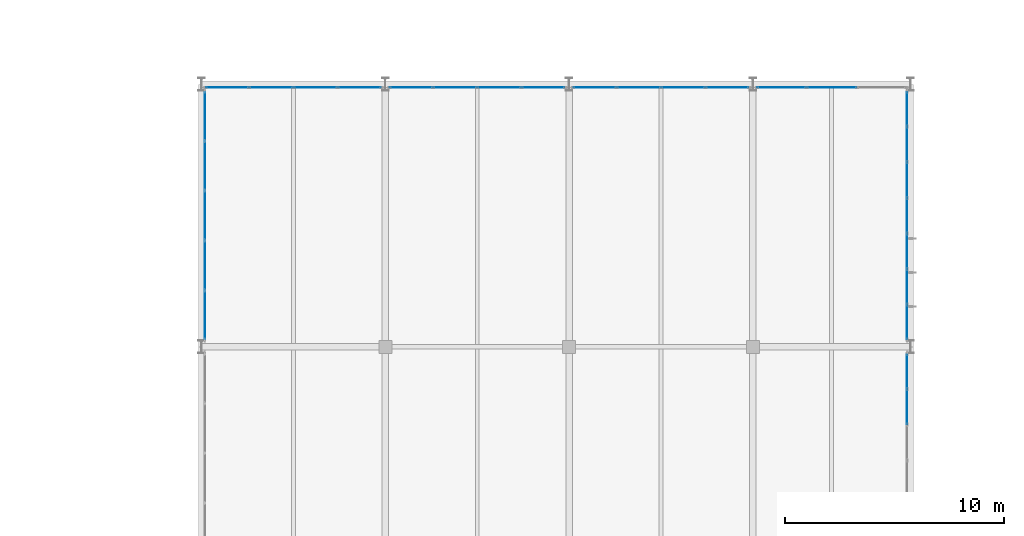
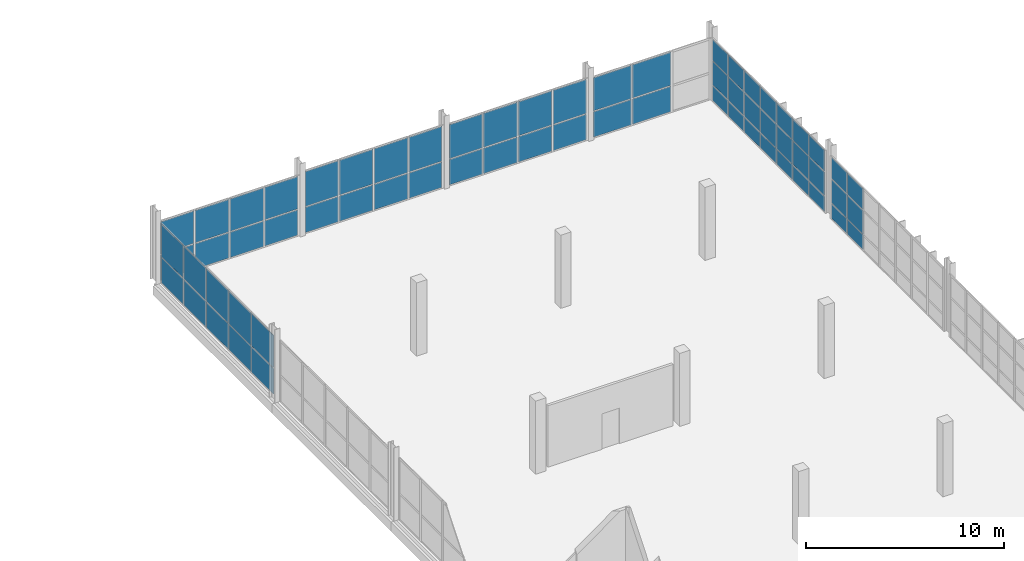
# One storey, part 112 of 130: 65 plates, 7 elements without a shape of their own.
"""IFC4 building model written with IfcOpenShell, lengths in metres."""

from ifc_helpers import new_model, si_unit, direction, frame, origin, origin_2d, place, context, subcontext, project, spatial, rectangle, extrude, material, layer, layer_set, type_object, element, aggregate, save


model = new_model("IFC4")

# Units and contexts
model_context = context("Model", 3, precision=1e-05, world=origin(), true_north=direction((0.0, 1.0)))
body_context = subcontext(model_context, "Body", "Model", "MODEL_VIEW")
ifc_project = project(units=[si_unit("LENGTHUNIT", "METRE"), si_unit("AREAUNIT", "SQUARE_METRE"), si_unit("VOLUMEUNIT", "CUBIC_METRE"), si_unit("PLANEANGLEUNIT", "RADIAN"), si_unit("MASSUNIT", "GRAM", prefix="KILO")], contexts=[model_context])

# Site, building, storey
site_placement = place(None, origin())
site = spatial("IfcSite", under=ifc_project, at=site_placement, CompositionType="ELEMENT")
building_placement = place(site_placement, origin())
building = spatial("IfcBuilding", under=site, at=building_placement, Name="Veltarok Museum of Natural Sciences", CompositionType="ELEMENT")
storey_placement = place(building_placement, frame((0.0, 0.0, 12.89990234375)))
storey = spatial("IfcBuildingStorey", under=building, at=storey_placement, Name="L02", CompositionType="ELEMENT", Elevation=12.89990234375)

# Curtain wall, plates
ifc_material = material(Name="Low-iron triple insulated glass", Category="glass")
curtain_wall_type_1 = type_object("IfcCurtainWallType", Name="Curtain Wall System CW-V5E-L02-F-1140x388 (V5 East Lab L02 F-G 1140x388cm)", PredefinedType="NOTDEFINED", material=ifc_material)
curtain_wall_1_placement = place(storey_placement, origin())
curtain_wall_1 = element("IfcCurtainWall", 1, at=curtain_wall_1_placement, inside=storey, type_object=curtain_wall_type_1, Name="Curtain Wall CW-V5E-L02-F-1140x388 CW-0113", PredefinedType="NOTDEFINED")
ifc_layer = layer(ifc_material, 0.028076171875)
ifc_layer_set = layer_set([ifc_layer], Name="Low-iron triple insulated glass")
plate_type = type_object("IfcPlateType", Name="Triple Low-Iron Glazed Vision Panel 28", PredefinedType="CURTAIN_PANEL", material=ifc_layer_set)
plate_1_placement = place(storey_placement, frame((164.64990234375, 57.257080078125, 0.06005859375), z_axis=(0.0, 0.0, 1.0), x_axis=(0.0, 1.0, 0.0)))
plate_1 = element("IfcPlate", 2, at=plate_1_placement, type_object=plate_type, Name="CW-V5E-L02-F-1140x388 panel 6.1", PredefinedType="CURTAIN_PANEL", context=body_context, shape_type="SweptSolid", body=[
    extrude(rectangle(XDim=1.568603515625, YDim=0.028076171875, at=origin_2d()), origin(), (0.0, 0.0, 1.0), 0.909912109375),
])
plate_2_placement = place(storey_placement, frame((164.64990234375, 57.257080078125, 1.030029296875), z_axis=(0.0, 0.0, 1.0), x_axis=(0.0, 1.0, 0.0)))
plate_2 = element("IfcPlate", 3, at=plate_2_placement, type_object=plate_type, Name="CW-V5E-L02-F-1140x388 panel 6.2", PredefinedType="CURTAIN_PANEL", context=body_context, shape_type="SweptSolid", body=[
    extrude(rectangle(XDim=1.568603515625, YDim=0.028076171875, at=origin_2d()), origin(), (0.0, 0.0, 1.0), 1.43994140625),
])
plate_3_placement = place(storey_placement, frame((164.64990234375, 57.257080078125, 2.530029296875), z_axis=(0.0, 0.0, 1.0), x_axis=(0.0, 1.0, 0.0)))
plate_3 = element("IfcPlate", 4, at=plate_3_placement, type_object=plate_type, Name="CW-V5E-L02-F-1140x388 panel 6.3", PredefinedType="CURTAIN_PANEL", context=body_context, shape_type="SweptSolid", body=[
    extrude(rectangle(XDim=1.568603515625, YDim=0.028076171875, at=origin_2d()), origin(), (0.0, 0.0, 1.0), 1.2900390625),
])
plate_4_placement = place(storey_placement, frame((164.64990234375, 58.87060546875, 0.06005859375), z_axis=(0.0, 0.0, 1.0), x_axis=(0.0, 1.0, 0.0)))
plate_4 = element("IfcPlate", 5, at=plate_4_placement, type_object=plate_type, Name="CW-V5E-L02-F-1140x388 panel 7.1", PredefinedType="CURTAIN_PANEL", context=body_context, shape_type="SweptSolid", body=[
    extrude(rectangle(XDim=1.53857421875, YDim=0.028076171875, at=origin_2d()), origin(), (0.0, 0.0, 1.0), 0.909912109375),
])
plate_5_placement = place(storey_placement, frame((164.64990234375, 58.87060546875, 1.030029296875), z_axis=(0.0, 0.0, 1.0), x_axis=(0.0, 1.0, 0.0)))
plate_5 = element("IfcPlate", 6, at=plate_5_placement, type_object=plate_type, Name="CW-V5E-L02-F-1140x388 panel 7.2", PredefinedType="CURTAIN_PANEL", context=body_context, shape_type="SweptSolid", body=[
    extrude(rectangle(XDim=1.53857421875, YDim=0.028076171875, at=origin_2d()), origin(), (0.0, 0.0, 1.0), 1.43994140625),
])
plate_6_placement = place(storey_placement, frame((164.64990234375, 58.87060546875, 2.530029296875), z_axis=(0.0, 0.0, 1.0), x_axis=(0.0, 1.0, 0.0)))
plate_6 = element("IfcPlate", 7, at=plate_6_placement, type_object=plate_type, Name="CW-V5E-L02-F-1140x388 panel 7.3", PredefinedType="CURTAIN_PANEL", context=body_context, shape_type="SweptSolid", body=[
    extrude(rectangle(XDim=1.53857421875, YDim=0.028076171875, at=origin_2d()), origin(), (0.0, 0.0, 1.0), 1.2900390625),
])
aggregate(curtain_wall_1, [plate_1, plate_2, plate_3, plate_4, plate_5, plate_6])

curtain_wall_type_2 = type_object("IfcCurtainWallType", Name="Curtain Wall System CW-V5E-L02-G-1140x388 (V5 East Lab L02 G-H 1140x388cm)", PredefinedType="NOTDEFINED", material=ifc_material)
curtain_wall_2_placement = place(storey_placement, origin())
curtain_wall_2 = element("IfcCurtainWall", 8, at=curtain_wall_2_placement, inside=storey, type_object=curtain_wall_type_2, Name="Curtain Wall CW-V5E-L02-G-1140x388 CW-0114", PredefinedType="NOTDEFINED")
plate_7_placement = place(storey_placement, frame((164.64990234375, 61.12939453125, 0.06005859375), z_axis=(0.0, 0.0, 1.0), x_axis=(0.0, 1.0, 0.0)))
plate_7 = element("IfcPlate", 9, at=plate_7_placement, type_object=plate_type, Name="CW-V5E-L02-G-1140x388 panel 1.1", PredefinedType="CURTAIN_PANEL", context=body_context, shape_type="SweptSolid", body=[
    extrude(rectangle(XDim=1.53857421875, YDim=0.028076171875, at=origin_2d()), origin(), (0.0, 0.0, 1.0), 0.909912109375),
])
plate_8_placement = place(storey_placement, frame((164.64990234375, 61.12939453125, 1.030029296875), z_axis=(0.0, 0.0, 1.0), x_axis=(0.0, 1.0, 0.0)))
plate_8 = element("IfcPlate", 10, at=plate_8_placement, type_object=plate_type, Name="CW-V5E-L02-G-1140x388 panel 1.2", PredefinedType="CURTAIN_PANEL", context=body_context, shape_type="SweptSolid", body=[
    extrude(rectangle(XDim=1.53857421875, YDim=0.028076171875, at=origin_2d()), origin(), (0.0, 0.0, 1.0), 1.43994140625),
])
plate_9_placement = place(storey_placement, frame((164.64990234375, 61.12939453125, 2.530029296875), z_axis=(0.0, 0.0, 1.0), x_axis=(0.0, 1.0, 0.0)))
plate_9 = element("IfcPlate", 11, at=plate_9_placement, type_object=plate_type, Name="CW-V5E-L02-G-1140x388 panel 1.3", PredefinedType="CURTAIN_PANEL", context=body_context, shape_type="SweptSolid", body=[
    extrude(rectangle(XDim=1.53857421875, YDim=0.028076171875, at=origin_2d()), origin(), (0.0, 0.0, 1.0), 1.2900390625),
])
plate_10_placement = place(storey_placement, frame((164.64990234375, 62.742919921875, 0.06005859375), z_axis=(0.0, 0.0, 1.0), x_axis=(0.0, 1.0, 0.0)))
plate_10 = element("IfcPlate", 12, at=plate_10_placement, type_object=plate_type, Name="CW-V5E-L02-G-1140x388 panel 2.1", PredefinedType="CURTAIN_PANEL", context=body_context, shape_type="SweptSolid", body=[
    extrude(rectangle(XDim=1.568603515625, YDim=0.028076171875, at=origin_2d()), origin(), (0.0, 0.0, 1.0), 0.909912109375),
])
plate_11_placement = place(storey_placement, frame((164.64990234375, 62.742919921875, 1.030029296875), z_axis=(0.0, 0.0, 1.0), x_axis=(0.0, 1.0, 0.0)))
plate_11 = element("IfcPlate", 13, at=plate_11_placement, type_object=plate_type, Name="CW-V5E-L02-G-1140x388 panel 2.2", PredefinedType="CURTAIN_PANEL", context=body_context, shape_type="SweptSolid", body=[
    extrude(rectangle(XDim=1.568603515625, YDim=0.028076171875, at=origin_2d()), origin(), (0.0, 0.0, 1.0), 1.43994140625),
])
plate_12_placement = place(storey_placement, frame((164.64990234375, 62.742919921875, 2.530029296875), z_axis=(0.0, 0.0, 1.0), x_axis=(0.0, 1.0, 0.0)))
plate_12 = element("IfcPlate", 14, at=plate_12_placement, type_object=plate_type, Name="CW-V5E-L02-G-1140x388 panel 2.3", PredefinedType="CURTAIN_PANEL", context=body_context, shape_type="SweptSolid", body=[
    extrude(rectangle(XDim=1.568603515625, YDim=0.028076171875, at=origin_2d()), origin(), (0.0, 0.0, 1.0), 1.2900390625),
])
plate_13_placement = place(storey_placement, frame((164.64990234375, 64.371337890625, 0.06005859375), z_axis=(0.0, 0.0, 1.0), x_axis=(0.0, 1.0, 0.0)))
plate_13 = element("IfcPlate", 15, at=plate_13_placement, type_object=plate_type, Name="CW-V5E-L02-G-1140x388 panel 3.1", PredefinedType="CURTAIN_PANEL", context=body_context, shape_type="SweptSolid", body=[
    extrude(rectangle(XDim=1.568603515625, YDim=0.028076171875, at=origin_2d()), origin(), (0.0, 0.0, 1.0), 0.909912109375),
])
plate_14_placement = place(storey_placement, frame((164.64990234375, 64.371337890625, 1.030029296875), z_axis=(0.0, 0.0, 1.0), x_axis=(0.0, 1.0, 0.0)))
plate_14 = element("IfcPlate", 16, at=plate_14_placement, type_object=plate_type, Name="CW-V5E-L02-G-1140x388 panel 3.2", PredefinedType="CURTAIN_PANEL", context=body_context, shape_type="SweptSolid", body=[
    extrude(rectangle(XDim=1.568603515625, YDim=0.028076171875, at=origin_2d()), origin(), (0.0, 0.0, 1.0), 1.43994140625),
])
plate_15_placement = place(storey_placement, frame((164.64990234375, 64.371337890625, 2.530029296875), z_axis=(0.0, 0.0, 1.0), x_axis=(0.0, 1.0, 0.0)))
plate_15 = element("IfcPlate", 17, at=plate_15_placement, type_object=plate_type, Name="CW-V5E-L02-G-1140x388 panel 3.3", PredefinedType="CURTAIN_PANEL", context=body_context, shape_type="SweptSolid", body=[
    extrude(rectangle(XDim=1.568603515625, YDim=0.028076171875, at=origin_2d()), origin(), (0.0, 0.0, 1.0), 1.2900390625),
])
plate_16_placement = place(storey_placement, frame((164.64990234375, 66.0, 0.06005859375), z_axis=(0.0, 0.0, 1.0), x_axis=(0.0, 1.0, 0.0)))
plate_16 = element("IfcPlate", 18, at=plate_16_placement, type_object=plate_type, Name="CW-V5E-L02-G-1140x388 panel 4.1", PredefinedType="CURTAIN_PANEL", context=body_context, shape_type="SweptSolid", body=[
    extrude(rectangle(XDim=1.568603515625, YDim=0.028076171875, at=origin_2d()), origin(), (0.0, 0.0, 1.0), 0.909912109375),
])
plate_17_placement = place(storey_placement, frame((164.64990234375, 66.0, 1.030029296875), z_axis=(0.0, 0.0, 1.0), x_axis=(0.0, 1.0, 0.0)))
plate_17 = element("IfcPlate", 19, at=plate_17_placement, type_object=plate_type, Name="CW-V5E-L02-G-1140x388 panel 4.2", PredefinedType="CURTAIN_PANEL", context=body_context, shape_type="SweptSolid", body=[
    extrude(rectangle(XDim=1.568603515625, YDim=0.028076171875, at=origin_2d()), origin(), (0.0, 0.0, 1.0), 1.43994140625),
])
plate_18_placement = place(storey_placement, frame((164.64990234375, 66.0, 2.530029296875), z_axis=(0.0, 0.0, 1.0), x_axis=(0.0, 1.0, 0.0)))
plate_18 = element("IfcPlate", 20, at=plate_18_placement, type_object=plate_type, Name="CW-V5E-L02-G-1140x388 panel 4.3", PredefinedType="CURTAIN_PANEL", context=body_context, shape_type="SweptSolid", body=[
    extrude(rectangle(XDim=1.568603515625, YDim=0.028076171875, at=origin_2d()), origin(), (0.0, 0.0, 1.0), 1.2900390625),
])
plate_19_placement = place(storey_placement, frame((164.64990234375, 67.628662109375, 0.06005859375), z_axis=(0.0, 0.0, 1.0), x_axis=(0.0, 1.0, 0.0)))
plate_19 = element("IfcPlate", 21, at=plate_19_placement, type_object=plate_type, Name="CW-V5E-L02-G-1140x388 panel 5.1", PredefinedType="CURTAIN_PANEL", context=body_context, shape_type="SweptSolid", body=[
    extrude(rectangle(XDim=1.568603515625, YDim=0.028076171875, at=origin_2d()), origin(), (0.0, 0.0, 1.0), 0.909912109375),
])
plate_20_placement = place(storey_placement, frame((164.64990234375, 67.628662109375, 1.030029296875), z_axis=(0.0, 0.0, 1.0), x_axis=(0.0, 1.0, 0.0)))
plate_20 = element("IfcPlate", 22, at=plate_20_placement, type_object=plate_type, Name="CW-V5E-L02-G-1140x388 panel 5.2", PredefinedType="CURTAIN_PANEL", context=body_context, shape_type="SweptSolid", body=[
    extrude(rectangle(XDim=1.568603515625, YDim=0.028076171875, at=origin_2d()), origin(), (0.0, 0.0, 1.0), 1.43994140625),
])
plate_21_placement = place(storey_placement, frame((164.64990234375, 67.628662109375, 2.530029296875), z_axis=(0.0, 0.0, 1.0), x_axis=(0.0, 1.0, 0.0)))
plate_21 = element("IfcPlate", 23, at=plate_21_placement, type_object=plate_type, Name="CW-V5E-L02-G-1140x388 panel 5.3", PredefinedType="CURTAIN_PANEL", context=body_context, shape_type="SweptSolid", body=[
    extrude(rectangle(XDim=1.568603515625, YDim=0.028076171875, at=origin_2d()), origin(), (0.0, 0.0, 1.0), 1.2900390625),
])
plate_22_placement = place(storey_placement, frame((164.64990234375, 69.257080078125, 0.06005859375), z_axis=(0.0, 0.0, 1.0), x_axis=(0.0, 1.0, 0.0)))
plate_22 = element("IfcPlate", 24, at=plate_22_placement, type_object=plate_type, Name="CW-V5E-L02-G-1140x388 panel 6.1", PredefinedType="CURTAIN_PANEL", context=body_context, shape_type="SweptSolid", body=[
    extrude(rectangle(XDim=1.568603515625, YDim=0.028076171875, at=origin_2d()), origin(), (0.0, 0.0, 1.0), 0.909912109375),
])
plate_23_placement = place(storey_placement, frame((164.64990234375, 69.257080078125, 1.030029296875), z_axis=(0.0, 0.0, 1.0), x_axis=(0.0, 1.0, 0.0)))
plate_23 = element("IfcPlate", 25, at=plate_23_placement, type_object=plate_type, Name="CW-V5E-L02-G-1140x388 panel 6.2", PredefinedType="CURTAIN_PANEL", context=body_context, shape_type="SweptSolid", body=[
    extrude(rectangle(XDim=1.568603515625, YDim=0.028076171875, at=origin_2d()), origin(), (0.0, 0.0, 1.0), 1.43994140625),
])
plate_24_placement = place(storey_placement, frame((164.64990234375, 69.257080078125, 2.530029296875), z_axis=(0.0, 0.0, 1.0), x_axis=(0.0, 1.0, 0.0)))
plate_24 = element("IfcPlate", 26, at=plate_24_placement, type_object=plate_type, Name="CW-V5E-L02-G-1140x388 panel 6.3", PredefinedType="CURTAIN_PANEL", context=body_context, shape_type="SweptSolid", body=[
    extrude(rectangle(XDim=1.568603515625, YDim=0.028076171875, at=origin_2d()), origin(), (0.0, 0.0, 1.0), 1.2900390625),
])
plate_25_placement = place(storey_placement, frame((164.64990234375, 70.87060546875, 0.06005859375), z_axis=(0.0, 0.0, 1.0), x_axis=(0.0, 1.0, 0.0)))
plate_25 = element("IfcPlate", 27, at=plate_25_placement, type_object=plate_type, Name="CW-V5E-L02-G-1140x388 panel 7.1", PredefinedType="CURTAIN_PANEL", context=body_context, shape_type="SweptSolid", body=[
    extrude(rectangle(XDim=1.53857421875, YDim=0.028076171875, at=origin_2d()), origin(), (0.0, 0.0, 1.0), 0.909912109375),
])
plate_26_placement = place(storey_placement, frame((164.64990234375, 70.87060546875, 1.030029296875), z_axis=(0.0, 0.0, 1.0), x_axis=(0.0, 1.0, 0.0)))
plate_26 = element("IfcPlate", 28, at=plate_26_placement, type_object=plate_type, Name="CW-V5E-L02-G-1140x388 panel 7.2", PredefinedType="CURTAIN_PANEL", context=body_context, shape_type="SweptSolid", body=[
    extrude(rectangle(XDim=1.53857421875, YDim=0.028076171875, at=origin_2d()), origin(), (0.0, 0.0, 1.0), 1.43994140625),
])
plate_27_placement = place(storey_placement, frame((164.64990234375, 70.87060546875, 2.530029296875), z_axis=(0.0, 0.0, 1.0), x_axis=(0.0, 1.0, 0.0)))
plate_27 = element("IfcPlate", 29, at=plate_27_placement, type_object=plate_type, Name="CW-V5E-L02-G-1140x388 panel 7.3", PredefinedType="CURTAIN_PANEL", context=body_context, shape_type="SweptSolid", body=[
    extrude(rectangle(XDim=1.53857421875, YDim=0.028076171875, at=origin_2d()), origin(), (0.0, 0.0, 1.0), 1.2900390625),
])
aggregate(curtain_wall_2, [plate_7, plate_8, plate_9, plate_10, plate_11, plate_12, plate_13, plate_14, plate_15, plate_16, plate_17, plate_18, plate_19, plate_20, plate_21, plate_22, plate_23, plate_24, plate_25, plate_26, plate_27])

curtain_wall_type_3 = type_object("IfcCurtainWallType", Name="Curtain Wall System CW-V5CW-L02-3-1140x373 (CW-V5CW L02 1140x373cm)", PredefinedType="NOTDEFINED", material=ifc_material)
curtain_wall_3_placement = place(storey_placement, origin())
curtain_wall_3 = element("IfcCurtainWall", 30, at=curtain_wall_3_placement, inside=storey, type_object=curtain_wall_type_3, Name="Curtain Wall CW-V5CW-L02-3-1140x373 CW-0179", PredefinedType="NOTDEFINED")
plate_28_placement = place(storey_placement, frame((132.550048828125, 61.455078125, 0.05810546875), z_axis=(0.0, 0.0, 1.0), x_axis=(0.0, 1.0, 0.0)))
plate_28 = element("IfcPlate", 31, at=plate_28_placement, type_object=plate_type, Name="CW-V5CW-L02-3-1140x373 panel 1.1", PredefinedType="CURTAIN_PANEL", context=body_context, shape_type="SweptSolid", body=[
    extrude(rectangle(XDim=2.18994140625, YDim=0.028076171875, at=origin_2d()), origin(), (0.0, 0.0, 1.0), 1.56005859375),
])
plate_29_placement = place(storey_placement, frame((132.550048828125, 61.455078125, 1.67822265625), z_axis=(0.0, 0.0, 1.0), x_axis=(0.0, 1.0, 0.0)))
plate_29 = element("IfcPlate", 32, at=plate_29_placement, type_object=plate_type, Name="CW-V5CW-L02-3-1140x373 panel 1.2", PredefinedType="CURTAIN_PANEL", context=body_context, shape_type="SweptSolid", body=[
    extrude(rectangle(XDim=2.18994140625, YDim=0.028076171875, at=origin_2d()), origin(), (0.0, 0.0, 1.0), 1.991943359375),
])
plate_30_placement = place(storey_placement, frame((132.550048828125, 63.719970703125, 0.05810546875), z_axis=(0.0, 0.0, 1.0), x_axis=(0.0, 1.0, 0.0)))
plate_30 = element("IfcPlate", 33, at=plate_30_placement, type_object=plate_type, Name="CW-V5CW-L02-3-1140x373 panel 2.1", PredefinedType="CURTAIN_PANEL", context=body_context, shape_type="SweptSolid", body=[
    extrude(rectangle(XDim=2.219970703125, YDim=0.028076171875, at=origin_2d()), origin(), (0.0, 0.0, 1.0), 1.56005859375),
])
plate_31_placement = place(storey_placement, frame((132.550048828125, 63.719970703125, 1.67822265625), z_axis=(0.0, 0.0, 1.0), x_axis=(0.0, 1.0, 0.0)))
plate_31 = element("IfcPlate", 34, at=plate_31_placement, type_object=plate_type, Name="CW-V5CW-L02-3-1140x373 panel 2.2", PredefinedType="CURTAIN_PANEL", context=body_context, shape_type="SweptSolid", body=[
    extrude(rectangle(XDim=2.219970703125, YDim=0.028076171875, at=origin_2d()), origin(), (0.0, 0.0, 1.0), 1.991943359375),
])
plate_32_placement = place(storey_placement, frame((132.550048828125, 66.0, 0.05810546875), z_axis=(0.0, 0.0, 1.0), x_axis=(0.0, 1.0, 0.0)))
plate_32 = element("IfcPlate", 35, at=plate_32_placement, type_object=plate_type, Name="CW-V5CW-L02-3-1140x373 panel 3.1", PredefinedType="CURTAIN_PANEL", context=body_context, shape_type="SweptSolid", body=[
    extrude(rectangle(XDim=2.219970703125, YDim=0.028076171875, at=origin_2d()), origin(), (0.0, 0.0, 1.0), 1.56005859375),
])
plate_33_placement = place(storey_placement, frame((132.550048828125, 66.0, 1.67822265625), z_axis=(0.0, 0.0, 1.0), x_axis=(0.0, 1.0, 0.0)))
plate_33 = element("IfcPlate", 36, at=plate_33_placement, type_object=plate_type, Name="CW-V5CW-L02-3-1140x373 panel 3.2", PredefinedType="CURTAIN_PANEL", context=body_context, shape_type="SweptSolid", body=[
    extrude(rectangle(XDim=2.219970703125, YDim=0.028076171875, at=origin_2d()), origin(), (0.0, 0.0, 1.0), 1.991943359375),
])
plate_34_placement = place(storey_placement, frame((132.550048828125, 68.280029296875, 0.05810546875), z_axis=(0.0, 0.0, 1.0), x_axis=(0.0, 1.0, 0.0)))
plate_34 = element("IfcPlate", 37, at=plate_34_placement, type_object=plate_type, Name="CW-V5CW-L02-3-1140x373 panel 4.1", PredefinedType="CURTAIN_PANEL", context=body_context, shape_type="SweptSolid", body=[
    extrude(rectangle(XDim=2.219970703125, YDim=0.028076171875, at=origin_2d()), origin(), (0.0, 0.0, 1.0), 1.56005859375),
])
plate_35_placement = place(storey_placement, frame((132.550048828125, 68.280029296875, 1.67822265625), z_axis=(0.0, 0.0, 1.0), x_axis=(0.0, 1.0, 0.0)))
plate_35 = element("IfcPlate", 38, at=plate_35_placement, type_object=plate_type, Name="CW-V5CW-L02-3-1140x373 panel 4.2", PredefinedType="CURTAIN_PANEL", context=body_context, shape_type="SweptSolid", body=[
    extrude(rectangle(XDim=2.219970703125, YDim=0.028076171875, at=origin_2d()), origin(), (0.0, 0.0, 1.0), 1.991943359375),
])
plate_36_placement = place(storey_placement, frame((132.550048828125, 70.544921875, 0.05810546875), z_axis=(0.0, 0.0, 1.0), x_axis=(0.0, 1.0, 0.0)))
plate_36 = element("IfcPlate", 39, at=plate_36_placement, type_object=plate_type, Name="CW-V5CW-L02-3-1140x373 panel 5.1", PredefinedType="CURTAIN_PANEL", context=body_context, shape_type="SweptSolid", body=[
    extrude(rectangle(XDim=2.18994140625, YDim=0.028076171875, at=origin_2d()), origin(), (0.0, 0.0, 1.0), 1.56005859375),
])
plate_37_placement = place(storey_placement, frame((132.550048828125, 70.544921875, 1.67822265625), z_axis=(0.0, 0.0, 1.0), x_axis=(0.0, 1.0, 0.0)))
plate_37 = element("IfcPlate", 40, at=plate_37_placement, type_object=plate_type, Name="CW-V5CW-L02-3-1140x373 panel 5.2", PredefinedType="CURTAIN_PANEL", context=body_context, shape_type="SweptSolid", body=[
    extrude(rectangle(XDim=2.18994140625, YDim=0.028076171875, at=origin_2d()), origin(), (0.0, 0.0, 1.0), 1.991943359375),
])
aggregate(curtain_wall_3, [plate_28, plate_29, plate_30, plate_31, plate_32, plate_33, plate_34, plate_35, plate_36, plate_37])

curtain_wall_type_4 = type_object("IfcCurtainWallType", Name="Curtain Wall System CW-V5N-L02-3-810x373 (CW-V5N L02 810x373cm)", PredefinedType="NOTDEFINED", material=ifc_material)
curtain_wall_4_placement = place(storey_placement, origin())
curtain_wall_4 = element("IfcCurtainWall", 41, at=curtain_wall_4_placement, inside=storey, type_object=curtain_wall_type_4, Name="Curtain Wall CW-V5N-L02-3-810x373 CW-0203", PredefinedType="NOTDEFINED")
plate_38_placement = place(storey_placement, frame((139.62255859375, 71.85009765625, 0.05810546875), z_axis=(0.0, 0.0, 1.0), x_axis=(-1.0, 0.0, 0.0)))
plate_38 = element("IfcPlate", 42, at=plate_38_placement, type_object=plate_type, Name="CW-V5N-L02-3-810x373 panel 1.1", PredefinedType="CURTAIN_PANEL", context=body_context, shape_type="SweptSolid", body=[
    extrude(rectangle(XDim=1.93505859375, YDim=0.028076171875, at=origin_2d()), origin(), (0.0, 0.0, 1.0), 1.56005859375),
])
plate_39_placement = place(storey_placement, frame((139.62255859375, 71.85009765625, 1.67822265625), z_axis=(0.0, 0.0, 1.0), x_axis=(-1.0, 0.0, 0.0)))
plate_39 = element("IfcPlate", 43, at=plate_39_placement, type_object=plate_type, Name="CW-V5N-L02-3-810x373 panel 1.2", PredefinedType="CURTAIN_PANEL", context=body_context, shape_type="SweptSolid", body=[
    extrude(rectangle(XDim=1.93505859375, YDim=0.028076171875, at=origin_2d()), origin(), (0.0, 0.0, 1.0), 1.991943359375),
])
plate_40_placement = place(storey_placement, frame((137.612548828125, 71.85009765625, 0.05810546875), z_axis=(0.0, 0.0, 1.0), x_axis=(-1.0, 0.0, 0.0)))
plate_40 = element("IfcPlate", 44, at=plate_40_placement, type_object=plate_type, Name="CW-V5N-L02-3-810x373 panel 2.1", PredefinedType="CURTAIN_PANEL", context=body_context, shape_type="SweptSolid", body=[
    extrude(rectangle(XDim=1.965087890625, YDim=0.028076171875, at=origin_2d()), origin(), (0.0, 0.0, 1.0), 1.56005859375),
])
plate_41_placement = place(storey_placement, frame((137.612548828125, 71.85009765625, 1.67822265625), z_axis=(0.0, 0.0, 1.0), x_axis=(-1.0, 0.0, 0.0)))
plate_41 = element("IfcPlate", 45, at=plate_41_placement, type_object=plate_type, Name="CW-V5N-L02-3-810x373 panel 2.2", PredefinedType="CURTAIN_PANEL", context=body_context, shape_type="SweptSolid", body=[
    extrude(rectangle(XDim=1.965087890625, YDim=0.028076171875, at=origin_2d()), origin(), (0.0, 0.0, 1.0), 1.991943359375),
])
plate_42_placement = place(storey_placement, frame((135.58740234375, 71.85009765625, 0.05810546875), z_axis=(0.0, 0.0, 1.0), x_axis=(-1.0, 0.0, 0.0)))
plate_42 = element("IfcPlate", 46, at=plate_42_placement, type_object=plate_type, Name="CW-V5N-L02-3-810x373 panel 3.1", PredefinedType="CURTAIN_PANEL", context=body_context, shape_type="SweptSolid", body=[
    extrude(rectangle(XDim=1.965087890625, YDim=0.028076171875, at=origin_2d()), origin(), (0.0, 0.0, 1.0), 1.56005859375),
])
plate_43_placement = place(storey_placement, frame((135.58740234375, 71.85009765625, 1.67822265625), z_axis=(0.0, 0.0, 1.0), x_axis=(-1.0, 0.0, 0.0)))
plate_43 = element("IfcPlate", 47, at=plate_43_placement, type_object=plate_type, Name="CW-V5N-L02-3-810x373 panel 3.2", PredefinedType="CURTAIN_PANEL", context=body_context, shape_type="SweptSolid", body=[
    extrude(rectangle(XDim=1.965087890625, YDim=0.028076171875, at=origin_2d()), origin(), (0.0, 0.0, 1.0), 1.991943359375),
])
plate_44_placement = place(storey_placement, frame((133.577392578125, 71.85009765625, 0.05810546875), z_axis=(0.0, 0.0, 1.0), x_axis=(-1.0, 0.0, 0.0)))
plate_44 = element("IfcPlate", 48, at=plate_44_placement, type_object=plate_type, Name="CW-V5N-L02-3-810x373 panel 4.1", PredefinedType="CURTAIN_PANEL", context=body_context, shape_type="SweptSolid", body=[
    extrude(rectangle(XDim=1.93505859375, YDim=0.028076171875, at=origin_2d()), origin(), (0.0, 0.0, 1.0), 1.56005859375),
])
plate_45_placement = place(storey_placement, frame((133.577392578125, 71.85009765625, 1.67822265625), z_axis=(0.0, 0.0, 1.0), x_axis=(-1.0, 0.0, 0.0)))
plate_45 = element("IfcPlate", 49, at=plate_45_placement, type_object=plate_type, Name="CW-V5N-L02-3-810x373 panel 4.2", PredefinedType="CURTAIN_PANEL", context=body_context, shape_type="SweptSolid", body=[
    extrude(rectangle(XDim=1.93505859375, YDim=0.028076171875, at=origin_2d()), origin(), (0.0, 0.0, 1.0), 1.991943359375),
])
aggregate(curtain_wall_4, [plate_38, plate_39, plate_40, plate_41, plate_42, plate_43, plate_44, plate_45])

curtain_wall_type_5 = type_object("IfcCurtainWallType", Name="Curtain Wall System CW-V5N-L02-0-810x388 (CW-V5N L02 810x388cm)", PredefinedType="NOTDEFINED", material=ifc_material)
curtain_wall_5_placement = place(storey_placement, origin())
curtain_wall_5 = element("IfcCurtainWall", 50, at=curtain_wall_5_placement, inside=storey, type_object=curtain_wall_type_5, Name="Curtain Wall CW-V5N-L02-0-810x388 CW-0204", PredefinedType="NOTDEFINED")
plate_46_placement = place(storey_placement, frame((148.0224609375, 71.85009765625, 0.05810546875), z_axis=(0.0, 0.0, 1.0), x_axis=(-1.0, 0.0, 0.0)))
plate_46 = element("IfcPlate", 51, at=plate_46_placement, type_object=plate_type, Name="CW-V5N-L02-0-810x388 panel 1.1", PredefinedType="CURTAIN_PANEL", context=body_context, shape_type="SweptSolid", body=[
    extrude(rectangle(XDim=1.93505859375, YDim=0.028076171875, at=origin_2d()), origin(), (0.0, 0.0, 1.0), 1.56005859375),
])
plate_47_placement = place(storey_placement, frame((148.0224609375, 71.85009765625, 1.677978515625), z_axis=(0.0, 0.0, 1.0), x_axis=(-1.0, 0.0, 0.0)))
plate_47 = element("IfcPlate", 52, at=plate_47_placement, type_object=plate_type, Name="CW-V5N-L02-0-810x388 panel 1.2", PredefinedType="CURTAIN_PANEL", context=body_context, shape_type="SweptSolid", body=[
    extrude(rectangle(XDim=1.93505859375, YDim=0.028076171875, at=origin_2d()), origin(), (0.0, 0.0, 1.0), 2.14208984375),
])
plate_48_placement = place(storey_placement, frame((146.012451171875, 71.85009765625, 0.05810546875), z_axis=(0.0, 0.0, 1.0), x_axis=(-1.0, 0.0, 0.0)))
plate_48 = element("IfcPlate", 53, at=plate_48_placement, type_object=plate_type, Name="CW-V5N-L02-0-810x388 panel 2.1", PredefinedType="CURTAIN_PANEL", context=body_context, shape_type="SweptSolid", body=[
    extrude(rectangle(XDim=1.965087890625, YDim=0.028076171875, at=origin_2d()), origin(), (0.0, 0.0, 1.0), 1.56005859375),
])
plate_49_placement = place(storey_placement, frame((146.012451171875, 71.85009765625, 1.677978515625), z_axis=(0.0, 0.0, 1.0), x_axis=(-1.0, 0.0, 0.0)))
plate_49 = element("IfcPlate", 54, at=plate_49_placement, type_object=plate_type, Name="CW-V5N-L02-0-810x388 panel 2.2", PredefinedType="CURTAIN_PANEL", context=body_context, shape_type="SweptSolid", body=[
    extrude(rectangle(XDim=1.965087890625, YDim=0.028076171875, at=origin_2d()), origin(), (0.0, 0.0, 1.0), 2.14208984375),
])
plate_50_placement = place(storey_placement, frame((143.987548828125, 71.85009765625, 0.05810546875), z_axis=(0.0, 0.0, 1.0), x_axis=(-1.0, 0.0, 0.0)))
plate_50 = element("IfcPlate", 55, at=plate_50_placement, type_object=plate_type, Name="CW-V5N-L02-0-810x388 panel 3.1", PredefinedType="CURTAIN_PANEL", context=body_context, shape_type="SweptSolid", body=[
    extrude(rectangle(XDim=1.965087890625, YDim=0.028076171875, at=origin_2d()), origin(), (0.0, 0.0, 1.0), 1.56005859375),
])
plate_51_placement = place(storey_placement, frame((143.987548828125, 71.85009765625, 1.677978515625), z_axis=(0.0, 0.0, 1.0), x_axis=(-1.0, 0.0, 0.0)))
plate_51 = element("IfcPlate", 56, at=plate_51_placement, type_object=plate_type, Name="CW-V5N-L02-0-810x388 panel 3.2", PredefinedType="CURTAIN_PANEL", context=body_context, shape_type="SweptSolid", body=[
    extrude(rectangle(XDim=1.965087890625, YDim=0.028076171875, at=origin_2d()), origin(), (0.0, 0.0, 1.0), 2.14208984375),
])
plate_52_placement = place(storey_placement, frame((141.9775390625, 71.85009765625, 0.05810546875), z_axis=(0.0, 0.0, 1.0), x_axis=(-1.0, 0.0, 0.0)))
plate_52 = element("IfcPlate", 57, at=plate_52_placement, type_object=plate_type, Name="CW-V5N-L02-0-810x388 panel 4.1", PredefinedType="CURTAIN_PANEL", context=body_context, shape_type="SweptSolid", body=[
    extrude(rectangle(XDim=1.93505859375, YDim=0.028076171875, at=origin_2d()), origin(), (0.0, 0.0, 1.0), 1.56005859375),
])
plate_53_placement = place(storey_placement, frame((141.9775390625, 71.85009765625, 1.677978515625), z_axis=(0.0, 0.0, 1.0), x_axis=(-1.0, 0.0, 0.0)))
plate_53 = element("IfcPlate", 58, at=plate_53_placement, type_object=plate_type, Name="CW-V5N-L02-0-810x388 panel 4.2", PredefinedType="CURTAIN_PANEL", context=body_context, shape_type="SweptSolid", body=[
    extrude(rectangle(XDim=1.93505859375, YDim=0.028076171875, at=origin_2d()), origin(), (0.0, 0.0, 1.0), 2.14208984375),
])
aggregate(curtain_wall_5, [plate_46, plate_47, plate_48, plate_49, plate_50, plate_51, plate_52, plate_53])

curtain_wall_type_6 = type_object("IfcCurtainWallType", Name="Curtain Wall System CW-V5N-L02-1-810x383 (CW-V5N L02 810x383cm)", PredefinedType="NOTDEFINED", material=ifc_material)
curtain_wall_6_placement = place(storey_placement, origin())
curtain_wall_6 = element("IfcCurtainWall", 59, at=curtain_wall_6_placement, inside=storey, type_object=curtain_wall_type_6, Name="Curtain Wall CW-V5N-L02-1-810x383 CW-0205", PredefinedType="NOTDEFINED")
plate_54_placement = place(storey_placement, frame((156.422607421875, 71.85009765625, 0.05810546875), z_axis=(0.0, 0.0, 1.0), x_axis=(-1.0, 0.0, 0.0)))
plate_54 = element("IfcPlate", 60, at=plate_54_placement, type_object=plate_type, Name="CW-V5N-L02-1-810x383 panel 1.1", PredefinedType="CURTAIN_PANEL", context=body_context, shape_type="SweptSolid", body=[
    extrude(rectangle(XDim=1.93505859375, YDim=0.028076171875, at=origin_2d()), origin(), (0.0, 0.0, 1.0), 1.56005859375),
])
plate_55_placement = place(storey_placement, frame((156.422607421875, 71.85009765625, 1.67822265625), z_axis=(0.0, 0.0, 1.0), x_axis=(-1.0, 0.0, 0.0)))
plate_55 = element("IfcPlate", 61, at=plate_55_placement, type_object=plate_type, Name="CW-V5N-L02-1-810x383 panel 1.2", PredefinedType="CURTAIN_PANEL", context=body_context, shape_type="SweptSolid", body=[
    extrude(rectangle(XDim=1.93505859375, YDim=0.028076171875, at=origin_2d()), origin(), (0.0, 0.0, 1.0), 2.092041015625),
])
plate_56_placement = place(storey_placement, frame((154.41259765625, 71.85009765625, 0.05810546875), z_axis=(0.0, 0.0, 1.0), x_axis=(-1.0, 0.0, 0.0)))
plate_56 = element("IfcPlate", 62, at=plate_56_placement, type_object=plate_type, Name="CW-V5N-L02-1-810x383 panel 2.1", PredefinedType="CURTAIN_PANEL", context=body_context, shape_type="SweptSolid", body=[
    extrude(rectangle(XDim=1.965087890625, YDim=0.028076171875, at=origin_2d()), origin(), (0.0, 0.0, 1.0), 1.56005859375),
])
plate_57_placement = place(storey_placement, frame((154.41259765625, 71.85009765625, 1.67822265625), z_axis=(0.0, 0.0, 1.0), x_axis=(-1.0, 0.0, 0.0)))
plate_57 = element("IfcPlate", 63, at=plate_57_placement, type_object=plate_type, Name="CW-V5N-L02-1-810x383 panel 2.2", PredefinedType="CURTAIN_PANEL", context=body_context, shape_type="SweptSolid", body=[
    extrude(rectangle(XDim=1.965087890625, YDim=0.028076171875, at=origin_2d()), origin(), (0.0, 0.0, 1.0), 2.092041015625),
])
plate_58_placement = place(storey_placement, frame((152.387451171875, 71.85009765625, 0.05810546875), z_axis=(0.0, 0.0, 1.0), x_axis=(-1.0, 0.0, 0.0)))
plate_58 = element("IfcPlate", 64, at=plate_58_placement, type_object=plate_type, Name="CW-V5N-L02-1-810x383 panel 3.1", PredefinedType="CURTAIN_PANEL", context=body_context, shape_type="SweptSolid", body=[
    extrude(rectangle(XDim=1.965087890625, YDim=0.028076171875, at=origin_2d()), origin(), (0.0, 0.0, 1.0), 1.56005859375),
])
plate_59_placement = place(storey_placement, frame((152.387451171875, 71.85009765625, 1.67822265625), z_axis=(0.0, 0.0, 1.0), x_axis=(-1.0, 0.0, 0.0)))
plate_59 = element("IfcPlate", 65, at=plate_59_placement, type_object=plate_type, Name="CW-V5N-L02-1-810x383 panel 3.2", PredefinedType="CURTAIN_PANEL", context=body_context, shape_type="SweptSolid", body=[
    extrude(rectangle(XDim=1.965087890625, YDim=0.028076171875, at=origin_2d()), origin(), (0.0, 0.0, 1.0), 2.092041015625),
])
plate_60_placement = place(storey_placement, frame((150.37744140625, 71.85009765625, 0.05810546875), z_axis=(0.0, 0.0, 1.0), x_axis=(-1.0, 0.0, 0.0)))
plate_60 = element("IfcPlate", 66, at=plate_60_placement, type_object=plate_type, Name="CW-V5N-L02-1-810x383 panel 4.1", PredefinedType="CURTAIN_PANEL", context=body_context, shape_type="SweptSolid", body=[
    extrude(rectangle(XDim=1.93505859375, YDim=0.028076171875, at=origin_2d()), origin(), (0.0, 0.0, 1.0), 1.56005859375),
])
plate_61_placement = place(storey_placement, frame((150.37744140625, 71.85009765625, 1.67822265625), z_axis=(0.0, 0.0, 1.0), x_axis=(-1.0, 0.0, 0.0)))
plate_61 = element("IfcPlate", 67, at=plate_61_placement, type_object=plate_type, Name="CW-V5N-L02-1-810x383 panel 4.2", PredefinedType="CURTAIN_PANEL", context=body_context, shape_type="SweptSolid", body=[
    extrude(rectangle(XDim=1.93505859375, YDim=0.028076171875, at=origin_2d()), origin(), (0.0, 0.0, 1.0), 2.092041015625),
])
aggregate(curtain_wall_6, [plate_54, plate_55, plate_56, plate_57, plate_58, plate_59, plate_60, plate_61])

curtain_wall_type_7 = type_object("IfcCurtainWallType", Name="Curtain Wall System CW-V5N-L02-2-690x378 (CW-V5N L02 690x378cm)", PredefinedType="NOTDEFINED", material=ifc_material)
curtain_wall_7_placement = place(storey_placement, origin())
curtain_wall_7 = element("IfcCurtainWall", 68, at=curtain_wall_7_placement, inside=storey, type_object=curtain_wall_type_7, Name="Curtain Wall CW-V5N-L02-2-690x378 CW-0206", PredefinedType="NOTDEFINED")
plate_62_placement = place(storey_placement, frame((161.199951171875, 71.85009765625, 0.05810546875), z_axis=(0.0, 0.0, 1.0), x_axis=(-1.0, 0.0, 0.0)))
plate_62 = element("IfcPlate", 69, at=plate_62_placement, type_object=plate_type, Name="CW-V5N-L02-2-690x378 panel 2.1", PredefinedType="CURTAIN_PANEL", context=body_context, shape_type="SweptSolid", body=[
    extrude(rectangle(XDim=2.239990234375, YDim=0.028076171875, at=origin_2d()), origin(), (0.0, 0.0, 1.0), 1.56005859375),
])
plate_63_placement = place(storey_placement, frame((161.199951171875, 71.85009765625, 1.67822265625), z_axis=(0.0, 0.0, 1.0), x_axis=(-1.0, 0.0, 0.0)))
plate_63 = element("IfcPlate", 70, at=plate_63_placement, type_object=plate_type, Name="CW-V5N-L02-2-690x378 panel 2.2", PredefinedType="CURTAIN_PANEL", context=body_context, shape_type="SweptSolid", body=[
    extrude(rectangle(XDim=2.239990234375, YDim=0.028076171875, at=origin_2d()), origin(), (0.0, 0.0, 1.0), 2.0419921875),
])
plate_64_placement = place(storey_placement, frame((158.9150390625, 71.85009765625, 0.05810546875), z_axis=(0.0, 0.0, 1.0), x_axis=(-1.0, 0.0, 0.0)))
plate_64 = element("IfcPlate", 71, at=plate_64_placement, type_object=plate_type, Name="CW-V5N-L02-2-690x378 panel 3.1", PredefinedType="CURTAIN_PANEL", context=body_context, shape_type="SweptSolid", body=[
    extrude(rectangle(XDim=2.2099609375, YDim=0.028076171875, at=origin_2d()), origin(), (0.0, 0.0, 1.0), 1.56005859375),
])
plate_65_placement = place(storey_placement, frame((158.9150390625, 71.85009765625, 1.67822265625), z_axis=(0.0, 0.0, 1.0), x_axis=(-1.0, 0.0, 0.0)))
plate_65 = element("IfcPlate", 72, at=plate_65_placement, type_object=plate_type, Name="CW-V5N-L02-2-690x378 panel 3.2", PredefinedType="CURTAIN_PANEL", context=body_context, shape_type="SweptSolid", body=[
    extrude(rectangle(XDim=2.2099609375, YDim=0.028076171875, at=origin_2d()), origin(), (0.0, 0.0, 1.0), 2.0419921875),
])
aggregate(curtain_wall_7, [plate_62, plate_63, plate_64, plate_65])

save(model, "model.ifc")
